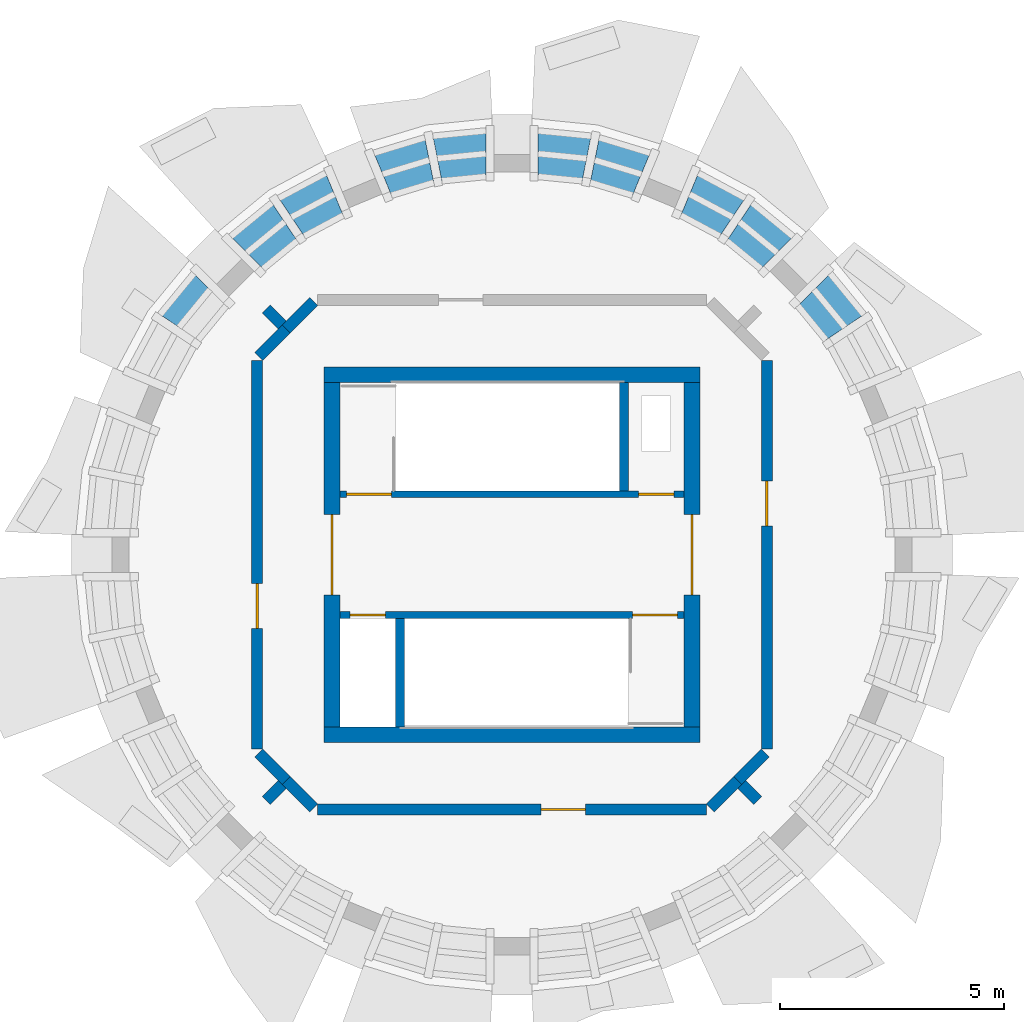
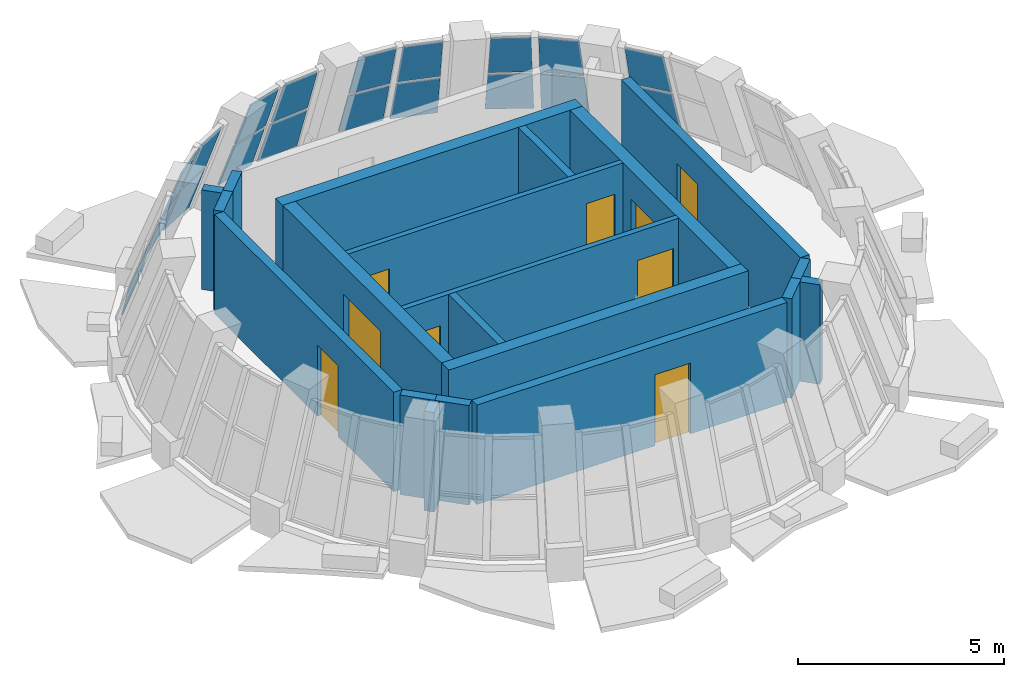
# One storey, part 5 of 8: 20 walls, 19 plates, 9 doors, 9 openings, 6 elements without a shape of their own.
"""IFC4 building model written with IfcOpenShell, lengths in metres."""

import ifcopenshell
import ifcopenshell.guid

model = None  # the IFC model being written
_history = None  # IfcOwnerHistory: only IFC2X3 demands one
_inside = {}  # id of a spatial element -> (the spatial element, [elements in it])
_under = {}  # id of a project, library or spatial element -> (it, [spatial elements below it])
_declared = {}  # id of a project -> (the project, [libraries it declares])
_typed = {}  # id of a type object -> (the type object, [elements of that type])
_made_of = {}  # id of a material, layer set ... -> (it, [elements and type objects made of it])


def new_model(schema):
    """Start an empty IFC model of exactly this schema.

    Asked for "IFC4X3", IfcOpenShell would pick the latest addendum, in which some entities
    have other attributes; the version numbers below select the first issue.
    IFC2X3 requires an IfcOwnerHistory on every rooted entity: one is made here for all.
    """
    global model, _history
    if schema == "IFC4X3":
        model = ifcopenshell.file(schema_version=(4, 3, 0, 0))
    else:
        model = ifcopenshell.file(schema=schema)
    _inside.clear()
    _under.clear()
    _declared.clear()
    _typed.clear()
    _made_of.clear()
    _history = None
    if model.schema == "IFC2X3":
        org = make("IfcOrganization", Name="unknown")
        user = make(
            "IfcPersonAndOrganization",
            ThePerson=make("IfcPerson", FamilyName="unknown"),
            TheOrganization=org,
        )
        app = make(
            "IfcApplication",
            ApplicationDeveloper=org,
            Version="unknown",
            ApplicationFullName="unknown",
            ApplicationIdentifier="unknown",
        )
        _history = make(
            "IfcOwnerHistory",
            OwningUser=user,
            OwningApplication=app,
            ChangeAction="ADDED",
            CreationDate=0,
        )
    return model


def make(cls, **values):
    """One entity of the class cls with the attributes given. An attribute that is None is left unset."""
    return model.create_entity(
        cls, **{name: value for name, value in values.items() if value is not None}
    )


def rooted(cls, **values):
    """An entity with a GlobalId (a new one), such as an element, a storey or a relation."""
    return make(cls, GlobalId=ifcopenshell.guid.new(), OwnerHistory=_history, **values)


def si_unit(unit_type, name, prefix=None):
    """IfcSIUnit, for example si_unit("LENGTHUNIT", "METRE", prefix="MILLI")."""
    return make("IfcSIUnit", UnitType=unit_type, Prefix=prefix, Name=name)


def assignment(units):
    """IfcUnitAssignment: the units of a project."""
    return None if units is None else make("IfcUnitAssignment", Units=units)


def point(xyz):
    """IfcCartesianPoint."""
    return None if xyz is None else make("IfcCartesianPoint", Coordinates=xyz)


def direction(xyz):
    """IfcDirection."""
    return None if xyz is None else make("IfcDirection", DirectionRatios=xyz)


def frame(location, z_axis=None, x_axis=None):
    """IfcAxis2Placement3D, a coordinate frame: its origin and axes. An axis left out is left unset."""
    return make(
        "IfcAxis2Placement3D",
        Location=point(location),
        Axis=direction(z_axis),
        RefDirection=direction(x_axis),
    )


def frame_2d(location, x_axis=None):
    """IfcAxis2Placement2D, a coordinate frame in the plane: its origin and x axis."""
    return make(
        "IfcAxis2Placement2D", Location=point(location), RefDirection=direction(x_axis)
    )


def origin():
    """The frame at (0, 0, 0) with its axes left unset."""
    return frame((0.0, 0.0, 0.0))


def place(relative_to, where):
    """IfcLocalPlacement: puts the frame where relative to a parent placement (None: the world)."""
    return make(
        "IfcLocalPlacement", PlacementRelTo=relative_to, RelativePlacement=where
    )


def context(
    kind, dimensions, precision=None, world=None, true_north=None, identifier=None
):
    """IfcGeometricRepresentationContext, for example the 3D "Model" context."""
    return make(
        "IfcGeometricRepresentationContext",
        ContextIdentifier=identifier,
        ContextType=kind,
        CoordinateSpaceDimension=dimensions,
        Precision=precision,
        WorldCoordinateSystem=world,
        TrueNorth=true_north,
    )


def subcontext(parent, identifier, kind, view, scale=None):
    """IfcGeometricRepresentationSubContext, for example "Body" below "Model"."""
    return make(
        "IfcGeometricRepresentationSubContext",
        ContextIdentifier=identifier,
        ContextType=kind,
        ParentContext=parent,
        TargetScale=scale,
        TargetView=view,
    )


def project(units=None, contexts=None):
    """IfcProject with its units and contexts."""
    return rooted(
        "IfcProject",
        Name="project",
        RepresentationContexts=contexts,
        UnitsInContext=assignment(units),
    )


def spatial(cls, under=None, at=None, **own):
    """A site, building, storey or space (cls), placed at a placement, below another one or the project."""
    s = rooted(cls, ObjectPlacement=at, **own)
    if under is not None:
        _under.setdefault(under.id(), (under, []))[1].append(s)
    return s


def polyline(points):
    """IfcPolyline through the points."""
    return make("IfcPolyline", Points=[point(p) for p in points])


def profile(cls, at=None, kind="AREA", **sizes):
    """A parametric profile (cls). Its sizes go by their IFC names, for example OverallWidth=200.0."""
    return make(cls, ProfileType=kind, Position=at, **sizes)


def rectangle(**sizes):
    """IfcRectangleProfileDef."""
    return profile("IfcRectangleProfileDef", **sizes)


def outline(outer, holes=None, kind="AREA"):
    """IfcArbitraryClosedProfileDef: a profile drawn as a closed curve; with holes, ...WithVoids."""
    if holes is None:
        return make("IfcArbitraryClosedProfileDef", ProfileType=kind, OuterCurve=outer)
    return make(
        "IfcArbitraryProfileDefWithVoids",
        ProfileType=kind,
        OuterCurve=outer,
        InnerCurves=holes,
    )


def extrude(swept, where, along, depth):
    """IfcExtrudedAreaSolid: the profile swept, set in the frame where, extruded along a direction by depth."""
    return make(
        "IfcExtrudedAreaSolid",
        SweptArea=swept,
        Position=where,
        ExtrudedDirection=direction(along),
        Depth=depth,
    )


def shape(context_of_items, identifier, shape_type, items):
    """IfcShapeRepresentation: the items that make up one representation, for example the "Body"."""
    return make(
        "IfcShapeRepresentation",
        ContextOfItems=context_of_items,
        RepresentationIdentifier=identifier,
        RepresentationType=shape_type,
        Items=items,
    )


def material(Name=None, Category=None):
    """IfcMaterial."""
    return make("IfcMaterial", Name=Name, Category=Category)


def layer(
    of_material, thickness, ventilated=None, Name=None, Category=None, Priority=None
):
    """IfcMaterialLayer: one layer of a wall or slab, of a material (None: an air gap)."""
    return make(
        "IfcMaterialLayer",
        Material=of_material,
        LayerThickness=thickness,
        IsVentilated=ventilated,
        Name=Name,
        Category=Category,
        Priority=Priority,
    )


def layer_set(layers, Name=None):
    """IfcMaterialLayerSet."""
    return make("IfcMaterialLayerSet", MaterialLayers=layers, LayerSetName=Name)


def made_of(thing, what):
    """Note that an element or type object is made of a material, layer set ...; save() writes the relation."""
    if what is not None:
        _made_of.setdefault(what.id(), (what, []))[1].append(thing)
    return thing


def type_object(cls, material=None, **own):
    """A type object (cls), such as IfcWallType, which elements share."""
    return made_of(rooted(cls, **own), material)


def element(
    cls,
    number,
    at=None,
    inside=None,
    cuts=None,
    type_object=None,
    material=None,
    context=None,
    identifier="Body",
    shape_type=None,
    held_by="IfcProductDefinitionShape",
    body=None,
    shapes=None,
    **own,
):
    """One element of the class cls, such as IfcWall. Its Tag is "e" and its number.

    at: its placement. inside: the storey or other place that contains it. cuts: it is an
    opening in that element (IfcRelVoidsElement). A single representation is given by context,
    identifier, shape_type and body (its items); several are given by shapes. held_by: the class
    of the entity that holds the representations. save() writes the other relations.
    """
    e = rooted(cls, Tag="e%d" % number, ObjectPlacement=at, **own)
    if body is not None:
        shapes = [shape(context, identifier, shape_type, body)]
    if shapes is not None:
        e.Representation = make(held_by, Representations=shapes)
    if inside is not None:
        _inside.setdefault(inside.id(), (inside, []))[1].append(e)
    if cuts is not None:
        rooted(
            "IfcRelVoidsElement", RelatingBuildingElement=cuts, RelatedOpeningElement=e
        )
    if type_object is not None:
        _typed.setdefault(type_object.id(), (type_object, []))[1].append(e)
    return made_of(e, material)


def fill(opening, filler):
    """IfcRelFillsElement: the door or window that sits in an opening."""
    return rooted(
        "IfcRelFillsElement",
        RelatingOpeningElement=opening,
        RelatedBuildingElement=filler,
    )


def aggregate(whole, parts):
    """IfcRelAggregates: a whole, such as a stair, and the parts it consists of."""
    return rooted("IfcRelAggregates", RelatingObject=whole, RelatedObjects=parts)


def save(model, path):
    """Write the relations noted so far, then the file.

    IfcRelAggregates (storeys below a building ...), IfcRelContainedInSpatialStructure (elements
    in a storey), IfcRelDefinesByType, IfcRelAssociatesMaterial and IfcRelDeclares: one each for
    every whole, place, type object, material and project.
    """
    for whole, parts in _under.values():
        aggregate(whole, parts)
    for where, things in _inside.values():
        rooted(
            "IfcRelContainedInSpatialStructure",
            RelatedElements=things,
            RelatingStructure=where,
        )
    for kind, things in _typed.values():
        rooted("IfcRelDefinesByType", RelatedObjects=things, RelatingType=kind)
    for what, things in _made_of.values():
        rooted("IfcRelAssociatesMaterial", RelatedObjects=things, RelatingMaterial=what)
    for by, libraries in _declared.values():
        rooted("IfcRelDeclares", RelatingContext=by, RelatedDefinitions=libraries)
    model.write(path)


model = new_model("IFC4")

# Units and contexts
model_context = context("Model", 3, precision=1e-05, world=origin(), true_north=direction((0.0, 1.0)))
body_context = subcontext(model_context, "Body", "Model", "MODEL_VIEW")
ifc_project = project(units=[si_unit("LENGTHUNIT", "METRE"), si_unit("AREAUNIT", "SQUARE_METRE"), si_unit("VOLUMEUNIT", "CUBIC_METRE"), si_unit("PLANEANGLEUNIT", "RADIAN"), si_unit("MASSUNIT", "GRAM", prefix="KILO")], contexts=[model_context])

# Site, building, storey
site_placement = place(None, origin())
site = spatial("IfcSite", under=ifc_project, at=site_placement, CompositionType="ELEMENT")
building_placement = place(site_placement, origin())
building = spatial("IfcBuilding", under=site, at=building_placement, Name="Polderwave Tower", CompositionType="ELEMENT")
storey_placement = place(building_placement, frame((0.0, 0.0, 244.39990234375)))
storey = spatial("IfcBuildingStorey", under=building, at=storey_placement, Name="L66", CompositionType="ELEMENT", Elevation=244.39990234375)

# Curtain wall, plates
ifc_material_1 = material(Name="Aluminium 6063-T6 and glass", Category="aluminium")
curtain_wall_type = type_object("IfcCurtainWallType", Name="Crown facet glazing wall", PredefinedType="NOTDEFINED", material=ifc_material_1)
curtain_wall_1_placement = place(storey_placement, origin())
curtain_wall_1 = element("IfcCurtainWall", 1, at=curtain_wall_1_placement, inside=storey, type_object=curtain_wall_type, Name="CROWN CW6 L66 01", PredefinedType="NOTDEFINED")
ifc_material_2 = material(Name="Glass, low-e laminated double glazing", Category="glass")
ifc_layer_1 = layer(ifc_material_2, 0.0400390625)
ifc_layer_set_1 = layer_set([ifc_layer_1], Name="Crown facet glazing glass panel 40 mm")
plate_type = type_object("IfcPlateType", Name="Crown facet glazing glass panel 40 mm", PredefinedType="CURTAIN_PANEL", material=ifc_layer_set_1)
plate_1_placement = place(storey_placement, frame((7.859619140625, 5.362548828125, 0.080078125), z_axis=(0.728514558881, 0.59778140071, 0.334550346678), x_axis=(-0.634331884059, 0.773060839035, -4.120436e-06)))
plate_1 = element("IfcPlate", 2, at=plate_1_placement, type_object=plate_type, Name="CROWN CW6 panel 3", PredefinedType="CURTAIN_PANEL", context=body_context, shape_type="SweptSolid", body=[
    extrude(outline(polyline([(0.0, 0.0), (1.1877514672402194, 2.7755575615628914e-17), (1.1403287608472565, 1.4378363484478571), (0.04729504145590254, 1.4378263759843046), (0.0, 0.0)])), origin(), (0.0, 0.0, -1.0), 0.0400390625),
])
plate_2_placement = place(storey_placement, frame((7.43408203125, 5.078125, 1.51513671875), z_axis=(0.728552410514, 0.597616458169, 0.334762533836), x_axis=(-0.634208069606, 0.773162417893, -2.29384e-06)))
plate_2 = element("IfcPlate", 3, at=plate_2_placement, type_object=plate_type, Name="CROWN CW6 panel 4", PredefinedType="CURTAIN_PANEL", context=body_context, shape_type="SweptSolid", body=[
    extrude(outline(polyline([(0.0, 0.0), (1.0875022372701915, 2.7755575615628914e-17), (1.0399710427489806, 1.4379488756299341), (0.04718655706346319, 1.4379438116045562), (0.0, 0.0)])), origin(), (0.0, 0.0, -1.0), 0.0400390625),
])
aggregate(curtain_wall_1, [plate_1, plate_2])

curtain_wall_2_placement = place(storey_placement, origin())
curtain_wall_2 = element("IfcCurtainWall", 4, at=curtain_wall_2_placement, inside=storey, type_object=curtain_wall_type, Name="CROWN CW6 L66 02", PredefinedType="NOTDEFINED")
plate_3_placement = place(storey_placement, frame((6.28076171875, 7.106201171875, 0.080078125), z_axis=(0.597776406997, 0.728552904485, 0.334475757873), x_axis=(-0.773077686851, 0.634311351045, -5.30734e-06)))
plate_3 = element("IfcPlate", 5, at=plate_3_placement, type_object=plate_type, Name="CROWN CW6 panel 1", PredefinedType="CURTAIN_PANEL", context=body_context, shape_type="SweptSolid", body=[
    extrude(outline(polyline([(0.0, 0.0), (1.1877514671807785, 2.7755575615628914e-17), (1.1404564258413907, 1.4380564517805376), (0.04723396892255981, 1.4377845445814874), (0.0, 0.0)])), origin(), (0.0, 0.0, -1.0), 0.0400390625),
])
plate_4_placement = place(storey_placement, frame((5.9189453125, 6.744384765625, 1.51513671875), z_axis=(0.597664250951, 0.728610674549, 0.334550337122), x_axis=(-0.773162417238, 0.634208070404, 2.292569e-06)))
plate_4 = element("IfcPlate", 6, at=plate_4_placement, type_object=plate_type, Name="CROWN CW6 panel 2", PredefinedType="CURTAIN_PANEL", context=body_context, shape_type="SweptSolid", body=[
    extrude(outline(polyline([(0.0, 0.0), (1.0875022372701872, 2.7755575615628914e-17), (1.0402817535867661, 1.437828826565124), (0.04749726790123691, 1.4378338873805563), (0.0, 0.0)])), origin(), (0.0, 0.0, -1.0), 0.0400390625),
])
plate_5_placement = place(storey_placement, frame((5.209716796875, 7.9619140625, 0.080078125), z_axis=(0.444543790311, 0.830897524586, 0.334649252401), x_axis=(-0.881733645577, 0.471747578756, -1.3980513e-05)))
plate_5 = element("IfcPlate", 7, at=plate_5_placement, type_object=plate_type, Name="CROWN CW6 panel 3", PredefinedType="CURTAIN_PANEL", context=body_context, shape_type="SweptSolid", body=[
    extrude(outline(polyline([(0.0, 0.0), (1.188147342283793, -2.7755575615628914e-17), (1.14053465731741, 1.437901866773072), (0.04741568293498262, 1.4378680221103832), (0.0, 0.0)])), origin(), (0.0, 0.0, -1.0), 0.0400390625),
])
plate_6_placement = place(storey_placement, frame((4.925048828125, 7.536376953125, 1.51513671875), z_axis=(0.444580065193, 0.830878116864, 0.334649250037), x_axis=(-0.881712933773, 0.471786288697, -1.4670693e-05)))
plate_6 = element("IfcPlate", 8, at=plate_6_placement, type_object=plate_type, Name="CROWN CW6 panel 4", PredefinedType="CURTAIN_PANEL", context=body_context, shape_type="SweptSolid", body=[
    extrude(outline(polyline([(0.0, 0.0), (1.0876619098390503, 5.551115123125783e-17), (1.0400271620707178, 1.4379011361127982), (0.04739362464483311, 1.437868749409721), (0.0, 0.0)])), origin(), (0.0, 0.0, -1.0), 0.0400390625),
])
aggregate(curtain_wall_2, [plate_3, plate_4, plate_5, plate_6])

curtain_wall_3_placement = place(storey_placement, origin())
curtain_wall_3 = element("IfcCurtainWall", 9, at=curtain_wall_3_placement, inside=storey, type_object=curtain_wall_type, Name="CROWN CW6 L66 03", PredefinedType="NOTDEFINED")
plate_7_placement = place(storey_placement, frame((3.0830078125, 8.969482421875, 0.080078125), z_axis=(0.273579472294, 0.90177283822, 0.334604274611), x_axis=(-0.956929190974, 0.290321413128, -2.3256199e-05)))
plate_7 = element("IfcPlate", 10, at=plate_7_placement, type_object=plate_type, Name="CROWN CW6 panel 1", PredefinedType="CURTAIN_PANEL", context=body_context, shape_type="SweptSolid", body=[
    extrude(outline(polyline([(0.0, 0.0), (1.1871399806981504, -1.3877787807814457e-17), (1.1401075758876562, 1.4378887126497282), (0.04741830816409392, 1.437832449401057), (0.0, 0.0)])), origin(), (0.0, 0.0, -1.0), 0.0400390625),
])
plate_8_placement = place(storey_placement, frame((2.886962890625, 8.49658203125, 1.51513671875), z_axis=(0.273503347507, 0.901830819388, 0.334510227206), x_axis=(-0.956961008783, 0.290216518075, 1.7455491e-05)))
plate_8 = element("IfcPlate", 11, at=plate_8_placement, type_object=plate_type, Name="CROWN CW6 panel 2", PredefinedType="CURTAIN_PANEL", context=body_context, shape_type="SweptSolid", body=[
    extrude(outline(polyline([(0.0, 0.0), (1.0870533690866546, 0.0), (1.0399660953534118, 1.4377903709772952), (0.04752619899210841, 1.4378288884632346), (0.0, 0.0)])), origin(), (0.0, 0.0, -1.0), 0.0400390625),
])
plate_9_placement = place(storey_placement, frame((1.766357421875, 9.35009765625, 0.080078125), z_axis=(0.092190560793, 0.937842269422, 0.334593452096), x_axis=(-0.99520337846, 0.09782758037, 4.535586e-06)))
plate_9 = element("IfcPlate", 12, at=plate_9_placement, type_object=plate_type, Name="CROWN CW6 panel 3", PredefinedType="CURTAIN_PANEL", context=body_context, shape_type="SweptSolid", body=[
    extrude(outline(polyline([(0.0, 0.0), (1.1880702856783063, -6.938893903907228e-18), (1.1407867318130822, 1.4378492220486534), (0.047896221256010195, 1.4378602002996534), (0.0, 0.0)])), origin(), (0.0, 0.0, -1.0), 0.0400390625),
])
plate_10_placement = place(storey_placement, frame((1.666259765625, 8.84814453125, 1.51513671875), z_axis=(0.09225701801, 0.937835729844, 0.334593464454), x_axis=(-0.995196492211, 0.09789760904, 5.932816e-06)))
plate_10 = element("IfcPlate", 13, at=plate_10_placement, type_object=plate_type, Name="CROWN CW6 panel 4", PredefinedType="CURTAIN_PANEL", context=body_context, shape_type="SweptSolid", body=[
    extrude(outline(polyline([(0.0, 0.0), (1.0874974139435412, 6.938893903907228e-18), (1.0401819015477192, 1.437848170700336), (0.04786426009474979, 1.4378612645556195), (0.0, 0.0)])), origin(), (0.0, 0.0, -1.0), 0.0400390625),
])
aggregate(curtain_wall_3, [plate_7, plate_8, plate_9, plate_10])

curtain_wall_4_placement = place(storey_placement, origin())
curtain_wall_4 = element("IfcCurtainWall", 14, at=curtain_wall_4_placement, inside=storey, type_object=curtain_wall_type, Name="CROWN CW6 L66 04", PredefinedType="NOTDEFINED")
plate_11_placement = place(storey_placement, frame((-0.583984375, 9.46630859375, 0.080078125), z_axis=(-0.092195772354, 0.937895285941, 0.334443376627), x_axis=(-0.995203378319, -0.097827581807, -4.533808e-06)))
plate_11 = element("IfcPlate", 15, at=plate_11_placement, type_object=plate_type, Name="CROWN CW6 panel 1", PredefinedType="CURTAIN_PANEL", context=body_context, shape_type="SweptSolid", body=[
    extrude(outline(polyline([(0.0, 0.0), (1.1880702856782939, 0.0), (1.1401501838394374, 1.4377789199388151), (0.047259673282329384, 1.4377679466118984), (0.0, 0.0)])), origin(), (0.0, 0.0, -1.0), 0.0400390625),
])
plate_12_placement = place(storey_placement, frame((-0.583984375, 8.95458984375, 1.51513671875), z_axis=(-0.092369186157, 0.937851449391, 0.334518448405), x_axis=(-0.99518632919, -0.098000859001, -4.2758918e-05)))
plate_12 = element("IfcPlate", 16, at=plate_12_placement, type_object=plate_type, Name="CROWN CW6 panel 2", PredefinedType="CURTAIN_PANEL", context=body_context, shape_type="SweptSolid", body=[
    extrude(outline(polyline([(0.0, 0.0), (1.0874974052304374, -6.938893903907228e-18), (1.0396331621784038, 1.4378612585329653), (0.047291598624912855, 1.4377668902361955), (0.0, 0.0)])), origin(), (0.0, 0.0, -1.0), 0.0400390625),
])
plate_13_placement = place(storey_placement, frame((-1.947021484375, 9.314208984375, 0.080078125), z_axis=(-0.273664436241, 0.901720281064, 0.334676427397), x_axis=(-0.956902768614, -0.290408490469, -9.05669e-06)))
plate_13 = element("IfcPlate", 17, at=plate_13_placement, type_object=plate_type, Name="CROWN CW6 panel 3", PredefinedType="CURTAIN_PANEL", context=body_context, shape_type="SweptSolid", body=[
    extrude(outline(polyline([(0.0, 0.0), (1.1871399831308675, 1.3877787807814457e-17), (1.1397925647514855, 1.437910626445114), (0.04703240957954799, 1.4378887145022188), (0.0, 0.0)])), origin(), (0.0, 0.0, -1.0), 0.0400390625),
])
plate_14_placement = place(storey_placement, frame((-1.8466796875, 8.81201171875, 1.51513671875), z_axis=(-0.273503347507, 0.901830819388, 0.334510227206), x_axis=(-0.956961008783, -0.290216518075, -1.7455491e-05)))
plate_14 = element("IfcPlate", 18, at=plate_14_placement, type_object=plate_type, Name="CROWN CW6 panel 4", PredefinedType="CURTAIN_PANEL", context=body_context, shape_type="SweptSolid", body=[
    extrude(outline(polyline([(0.0, 0.0), (1.0870533690866546, 0.0), (1.0395271700945463, 1.4378288884632346), (0.04708727373324286, 1.4377903709772952), (0.0, 0.0)])), origin(), (0.0, 0.0, -1.0), 0.0400390625),
])
aggregate(curtain_wall_4, [plate_11, plate_12, plate_13, plate_14])

curtain_wall_5_placement = place(storey_placement, origin())
curtain_wall_5 = element("IfcCurtainWall", 19, at=curtain_wall_5_placement, inside=storey, type_object=curtain_wall_type, Name="CROWN CW6 L66 05", PredefinedType="NOTDEFINED")
plate_15_placement = place(storey_placement, frame((-4.162109375, 8.5224609375, 0.080078125), z_axis=(-0.444633328059, 0.830876386908, 0.334582774898), x_axis=(-0.881694113104, -0.471821460585, -1.5773085e-05)))
plate_15 = element("IfcPlate", 20, at=plate_15_placement, type_object=plate_type, Name="CROWN CW6 panel 1", PredefinedType="CURTAIN_PANEL", context=body_context, shape_type="SweptSolid", body=[
    extrude(outline(polyline([(0.0, 0.0), (1.18814734200034, 2.7755575615628914e-17), (1.1407316596209516, 1.4378680218944804), (0.04749750318745835, 1.4378298367196831), (0.0, 0.0)])), origin(), (0.0, 0.0, -1.0), 0.0400390625),
])
plate_16_placement = place(storey_placement, frame((-3.966064453125, 8.049560546875, 1.51513671875), z_axis=(-0.444637127192, 0.830888677871, 0.334547201615), x_axis=(-0.881692780798, -0.471823950525, -4.98226e-07)))
plate_16 = element("IfcPlate", 21, at=plate_16_placement, type_object=plate_type, Name="CROWN CW6 panel 2", PredefinedType="CURTAIN_PANEL", context=body_context, shape_type="SweptSolid", body=[
    extrude(outline(polyline([(0.0, 0.0), (1.0876619108830106, 2.7755575615628914e-17), (1.0404835413839726, 1.4378302090599095), (0.04751955871846202, 1.4378291090544624), (0.0, 0.0)])), origin(), (0.0, 0.0, -1.0), 0.0400390625),
])
plate_17_placement = place(storey_placement, frame((-5.362548828125, 7.859619140625, 0.080078125), z_axis=(-0.59778140071, 0.728514558881, 0.334550346678), x_axis=(-0.773060839035, -0.634331884059, -4.120436e-06)))
plate_17 = element("IfcPlate", 22, at=plate_17_placement, type_object=plate_type, Name="CROWN CW6 panel 3", PredefinedType="CURTAIN_PANEL", context=body_context, shape_type="SweptSolid", body=[
    extrude(outline(polyline([(0.0, 0.0), (1.1877514672402194, 2.7755575615628914e-17), (1.1403287608472565, 1.4378363484478571), (0.04729504145590254, 1.4378263759843046), (0.0, 0.0)])), origin(), (0.0, 0.0, -1.0), 0.0400390625),
])
plate_18_placement = place(storey_placement, frame((-5.078125, 7.43408203125, 1.51513671875), z_axis=(-0.597616458169, 0.728552410514, 0.334762533836), x_axis=(-0.773162417893, -0.634208069606, -2.29384e-06)))
plate_18 = element("IfcPlate", 23, at=plate_18_placement, type_object=plate_type, Name="CROWN CW6 panel 4", PredefinedType="CURTAIN_PANEL", context=body_context, shape_type="SweptSolid", body=[
    extrude(outline(polyline([(0.0, 0.0), (1.0875022372701915, 2.7755575615628914e-17), (1.0399710427489806, 1.4379488756299341), (0.04718655706346319, 1.4379438116045562), (0.0, 0.0)])), origin(), (0.0, 0.0, -1.0), 0.0400390625),
])
aggregate(curtain_wall_5, [plate_15, plate_16, plate_17, plate_18])

# Curtain wall, plate
curtain_wall_6_placement = place(storey_placement, origin())
curtain_wall_6 = element("IfcCurtainWall", 24, at=curtain_wall_6_placement, inside=storey, type_object=curtain_wall_type, Name="CROWN CW6 L66 06", PredefinedType="NOTDEFINED")
plate_19_placement = place(storey_placement, frame((-7.106201171875, 6.28076171875, 0.080078125), z_axis=(-0.728552904485, 0.597776406997, 0.334475757873), x_axis=(-0.634311351045, -0.773077686851, -5.30734e-06)))
plate_19 = element("IfcPlate", 25, at=plate_19_placement, type_object=plate_type, Name="CROWN CW6 panel 1", PredefinedType="CURTAIN_PANEL", context=body_context, shape_type="SweptSolid", body=[
    extrude(outline(polyline([(0.0, 0.0), (1.1877514671807785, 2.7755575615628914e-17), (1.1404564258413907, 1.4380564517805376), (0.04723396892255981, 1.4377845445814874), (0.0, 0.0)])), origin(), (0.0, 0.0, -1.0), 0.0400390625),
])
aggregate(curtain_wall_6, [plate_19])

# Walls
ifc_material_3 = material(Name="Concrete C60/75", Category="concrete")
ifc_layer_2 = layer(ifc_material_3, 0.35009765625)
ifc_layer_set_2 = layer_set([ifc_layer_2], Name="CORE WALL 350 C60/75")
wall_type_1 = type_object("IfcWallType", Name="CORE WALL 350 C60/75", PredefinedType="SHEAR", material=ifc_layer_set_2)
for number, where, z_axis, x_axis, name in (
    (26, (-4.199951171875, -4.02490234375, 0.0), (0.0, 0.0, 1.0), (1.0, 0.0, 0.0), "ST-CORE-L66-S"),
    (27, (-4.199951171875, 4.02490234375, 0.0), (0.0, 0.0, 1.0), (1.0, 0.0, 0.0), "ST-CORE-L66-N"),
):
    element("IfcWall", number, at=place(storey_placement, frame(where, z_axis=z_axis, x_axis=x_axis)), inside=storey, type_object=wall_type_1, Name=name, PredefinedType="SHEAR", context=body_context, shape_type="SweptSolid", body=[
        extrude(rectangle(XDim=8.39990234375, YDim=0.35009765625, at=frame_2d((4.199951171875, 0.0))), origin(), (0.0, 0.0, 1.0), 2.9501953125),
    ])

# Wall, opening, door
wall_1_placement = place(storey_placement, frame((-4.02490234375, -3.85009765625, 0.0), z_axis=(0.0, 0.0, 1.0), x_axis=(0.0, 1.0, 0.0)))
wall_1 = element("IfcWall", 28, at=wall_1_placement, inside=storey, type_object=wall_type_1, Name="ST-CORE-L66-W", PredefinedType="SHEAR", context=body_context, shape_type="SweptSolid", body=[
    extrude(rectangle(XDim=7.7001953125, YDim=0.35009765625, at=frame_2d((3.85009765625, 0.0))), origin(), (0.0, 0.0, 1.0), 2.9501953125),
])
opening_1_placement = place(wall_1_placement, frame((2.949951171875, 0.0, 0.0)))
opening_1 = element("IfcOpeningElement", 29, at=opening_1_placement, cuts=wall_1, Name="Opening L66-D05", PredefinedType="OPENING", context=body_context, shape_type="SweptSolid", body=[
    extrude(rectangle(XDim=1.800048828125, YDim=2.10009765625, at=frame_2d((0.89990234375, 1.050048828125))), frame((0.0, 0.18505859375, 0.0), z_axis=(0.0, -1.0, 0.0), x_axis=(1.0, 0.0, 0.0)), (0.0, 0.0, 1.0), 0.3701171875),
])
ifc_material_4 = material(Name="Steel fire door", Category="steel")
door_type_1 = type_object("IfcDoorType", Name="Lobby entry door pair 1800", OperationType="DOUBLE_DOOR_SINGLE_SWING", PredefinedType="DOOR", material=ifc_material_4)
door_1_placement = place(opening_1_placement, origin())
door_1 = element("IfcDoor", 30, at=door_1_placement, inside=storey, type_object=door_type_1, Name="Crown stair lobby entry door", OperationType="DOUBLE_DOOR_SINGLE_SWING", OverallHeight=2.10009765625, OverallWidth=1.800048828125, PredefinedType="DOOR", context=body_context, shape_type="SweptSolid", body=[
    extrude(rectangle(XDim=1.800048828125, YDim=2.10009765625, at=frame_2d((0.89990234375, 1.050048828125))), frame((0.0, 0.02490234375, 0.0), z_axis=(0.0, -1.0, 0.0), x_axis=(1.0, 0.0, 0.0)), (0.0, 0.0, 1.0), 0.050048828125),
])
fill(opening_1, door_1)

wall_2_placement = place(storey_placement, frame((4.02490234375, -3.85009765625, 0.0), z_axis=(0.0, 0.0, 1.0), x_axis=(0.0, 1.0, 0.0)))
wall_2 = element("IfcWall", 31, at=wall_2_placement, inside=storey, type_object=wall_type_1, Name="ST-CORE-L66-E", PredefinedType="SHEAR", context=body_context, shape_type="SweptSolid", body=[
    extrude(rectangle(XDim=7.7001953125, YDim=0.35009765625, at=frame_2d((3.85009765625, 0.0))), origin(), (0.0, 0.0, 1.0), 2.9501953125),
])
opening_2_placement = place(wall_2_placement, frame((2.949951171875, 0.0, 0.0)))
opening_2 = element("IfcOpeningElement", 32, at=opening_2_placement, cuts=wall_2, Name="Opening L66-D06", PredefinedType="OPENING", context=body_context, shape_type="SweptSolid", body=[
    extrude(rectangle(XDim=1.800048828125, YDim=2.10009765625, at=frame_2d((0.89990234375, 1.050048828125))), frame((0.0, 0.18505859375, 0.0), z_axis=(0.0, -1.0, 0.0), x_axis=(1.0, 0.0, 0.0)), (0.0, 0.0, 1.0), 0.3701171875),
])
door_2_placement = place(opening_2_placement, frame((1.800048828125, 0.0, 0.0), z_axis=(0.0, 0.0, 1.0), x_axis=(-1.0, 0.0, 0.0)))
door_2 = element("IfcDoor", 33, at=door_2_placement, inside=storey, type_object=door_type_1, Name="Crown stair lobby entry door", OperationType="DOUBLE_DOOR_SINGLE_SWING", OverallHeight=2.10009765625, OverallWidth=1.800048828125, PredefinedType="DOOR", context=body_context, shape_type="SweptSolid", body=[
    extrude(rectangle(XDim=1.800048828125, YDim=2.10009765625, at=frame_2d((0.89990234375, 1.050048828125))), frame((0.0, 0.02490234375, 0.0), z_axis=(0.0, -1.0, 0.0), x_axis=(1.0, 0.0, 0.0)), (0.0, 0.0, 1.0), 0.050048828125),
])
fill(opening_2, door_2)

# Wall, openings, doors
ifc_material_5 = material(Name="Concrete C50/60", Category="concrete")
ifc_layer_3 = layer(ifc_material_5, 0.14990234375)
ifc_layer_set_3 = layer_set([ifc_layer_3], Name="Core web wall 150")
wall_type_2 = type_object("IfcWallType", Name="Core web wall 150", PredefinedType="SHEAR", material=ifc_layer_set_3)
wall_3_placement = place(storey_placement, frame((-3.85009765625, 1.35009765625, 0.0), z_axis=(0.0, 0.0, 1.0), x_axis=(1.0, 0.0, 0.0)))
wall_3 = element("IfcWall", 34, at=wall_3_placement, inside=storey, type_object=wall_type_2, Name="L66 north lobby wall", PredefinedType="SHEAR", context=body_context, shape_type="SweptSolid", body=[
    extrude(rectangle(XDim=7.7001953125, YDim=0.14990234375, at=frame_2d((3.85009765625, 0.0))), origin(), (0.0, 0.0, 1.0), 2.9501953125),
])
opening_3_placement = place(wall_3_placement, frame((0.14990234375, 0.0, 0.0)))
opening_3 = element("IfcOpeningElement", 35, at=opening_3_placement, cuts=wall_3, Name="Opening L66-D02", PredefinedType="OPENING", context=body_context, shape_type="SweptSolid", body=[
    extrude(rectangle(XDim=1.0, YDim=2.10009765625, at=frame_2d((0.5, 1.050048828125))), frame((0.0, 0.0849609375, 0.0), z_axis=(0.0, -1.0, 0.0), x_axis=(1.0, 0.0, 0.0)), (0.0, 0.0, 1.0), 0.169921875),
])
opening_4_placement = place(wall_3_placement, frame((6.675048828125, 0.0, 0.0)))
opening_4 = element("IfcOpeningElement", 36, at=opening_4_placement, cuts=wall_3, Name="Opening L66-D04", PredefinedType="OPENING", context=body_context, shape_type="SweptSolid", body=[
    extrude(rectangle(XDim=0.800048828125, YDim=2.10009765625, at=frame_2d((0.39990234375, 1.050048828125))), frame((0.0, 0.0849609375, 0.0), z_axis=(0.0, -1.0, 0.0), x_axis=(1.0, 0.0, 0.0)), (0.0, 0.0, 1.0), 0.169921875),
])
door_type_2 = type_object("IfcDoorType", Name="Riser door 800", OperationType="NOTDEFINED", PredefinedType="DOOR", material=ifc_material_4)
door_3_placement = place(opening_4_placement, frame((0.800048828125, 0.0, 0.0), z_axis=(0.0, 0.0, 1.0), x_axis=(-1.0, 0.0, 0.0)))
door_3 = element("IfcDoor", 37, at=door_3_placement, inside=storey, type_object=door_type_2, Name="Riser door", OperationType="SINGLE_SWING_LEFT", OverallHeight=2.10009765625, OverallWidth=0.800048828125, PredefinedType="DOOR", context=body_context, shape_type="SweptSolid", body=[
    extrude(rectangle(XDim=0.800048828125, YDim=2.10009765625, at=frame_2d((0.39990234375, 1.050048828125))), frame((0.0, 0.02490234375, 0.0), z_axis=(0.0, -1.0, 0.0), x_axis=(1.0, 0.0, 0.0)), (0.0, 0.0, 1.0), 0.050048828125),
])
fill(opening_4, door_3)
door_type_3 = type_object("IfcDoorType", Name="Stair door 1000", OperationType="NOTDEFINED", PredefinedType="DOOR", material=ifc_material_4)
door_4_placement = place(opening_3_placement, frame((1.0, 0.0, 0.0), z_axis=(0.0, 0.0, 1.0), x_axis=(-1.0, 0.0, 0.0)))
door_4 = element("IfcDoor", 38, at=door_4_placement, inside=storey, type_object=door_type_3, Name="Crown stair S1 door", OperationType="SINGLE_SWING_RIGHT", OverallHeight=2.10009765625, OverallWidth=1.0, PredefinedType="DOOR", context=body_context, shape_type="SweptSolid", body=[
    extrude(rectangle(XDim=1.0, YDim=2.10009765625, at=frame_2d((0.5, 1.050048828125))), frame((0.0, 0.02490234375, 0.0), z_axis=(0.0, -1.0, 0.0), x_axis=(1.0, 0.0, 0.0)), (0.0, 0.0, 1.0), 0.050048828125),
])
fill(opening_3, door_4)

wall_4_placement = place(storey_placement, frame((-3.85009765625, -1.35009765625, 0.0), z_axis=(0.0, 0.0, 1.0), x_axis=(1.0, 0.0, 0.0)))
wall_4 = element("IfcWall", 39, at=wall_4_placement, inside=storey, type_object=wall_type_2, Name="L66 south lobby wall", PredefinedType="SHEAR", context=body_context, shape_type="SweptSolid", body=[
    extrude(rectangle(XDim=7.7001953125, YDim=0.14990234375, at=frame_2d((3.85009765625, 0.0))), origin(), (0.0, 0.0, 1.0), 2.9501953125),
])
opening_5_placement = place(wall_4_placement, frame((0.22509765625, 0.0, 0.0)))
opening_5 = element("IfcOpeningElement", 40, at=opening_5_placement, cuts=wall_4, Name="Opening L66-D01", PredefinedType="OPENING", context=body_context, shape_type="SweptSolid", body=[
    extrude(rectangle(XDim=0.800048828125, YDim=2.10009765625, at=frame_2d((0.39990234375, 1.050048828125))), frame((0.0, 0.0849609375, 0.0), z_axis=(0.0, -1.0, 0.0), x_axis=(1.0, 0.0, 0.0)), (0.0, 0.0, 1.0), 0.169921875),
])
opening_6_placement = place(wall_4_placement, frame((6.550048828125, 0.0, 0.0)))
opening_6 = element("IfcOpeningElement", 41, at=opening_6_placement, cuts=wall_4, Name="Opening L66-D03", PredefinedType="OPENING", context=body_context, shape_type="SweptSolid", body=[
    extrude(rectangle(XDim=1.0, YDim=2.10009765625, at=frame_2d((0.5, 1.050048828125))), frame((0.0, 0.0849609375, 0.0), z_axis=(0.0, -1.0, 0.0), x_axis=(1.0, 0.0, 0.0)), (0.0, 0.0, 1.0), 0.169921875),
])
ifc_material_6 = material(Name="Stainless steel", Category="steel")
door_type_4 = type_object("IfcDoorType", Name="Service lift landing door 800", OperationType="DOUBLE_DOOR_SLIDING", PredefinedType="DOOR", material=ifc_material_6)
door_5_placement = place(opening_5_placement, origin())
door_5 = element("IfcDoor", 42, at=door_5_placement, inside=storey, type_object=door_type_4, Name="Crown service lift CL1 landing door", OperationType="DOUBLE_DOOR_SLIDING", OverallHeight=2.10009765625, OverallWidth=0.800048828125, PredefinedType="DOOR", context=body_context, shape_type="SweptSolid", body=[
    extrude(rectangle(XDim=0.800048828125, YDim=2.10009765625, at=frame_2d((0.39990234375, 1.050048828125))), frame((0.0, 0.02490234375, 0.0), z_axis=(0.0, -1.0, 0.0), x_axis=(1.0, 0.0, 0.0)), (0.0, 0.0, 1.0), 0.050048828125),
])
fill(opening_5, door_5)
door_6_placement = place(opening_6_placement, origin())
door_6 = element("IfcDoor", 43, at=door_6_placement, inside=storey, type_object=door_type_3, Name="Crown stair S2 door", OperationType="SINGLE_SWING_RIGHT", OverallHeight=2.10009765625, OverallWidth=1.0, PredefinedType="DOOR", context=body_context, shape_type="SweptSolid", body=[
    extrude(rectangle(XDim=1.0, YDim=2.10009765625, at=frame_2d((0.5, 1.050048828125))), frame((0.0, 0.02490234375, 0.0), z_axis=(0.0, -1.0, 0.0), x_axis=(1.0, 0.0, 0.0)), (0.0, 0.0, 1.0), 0.050048828125),
])
fill(opening_6, door_6)

# Walls
ifc_layer_4 = layer(ifc_material_5, 0.199951171875)
ifc_layer_set_4 = layer_set([ifc_layer_4], Name="Core web wall 200")
wall_type_3 = type_object("IfcWallType", Name="Core web wall 200", PredefinedType="SHEAR", material=ifc_layer_set_4)
for number, where, z_axis, x_axis, name in (
    (44, (2.5, 1.425048828125, 0.0), (0.0, 0.0, 1.0), (0.0, 1.0, 0.0), "L66 crown stair east wall"),
    (45, (-2.5, -1.425048828125, 0.0), (0.0, 0.0, 1.0), (0.0, -1.0, 0.0), "L66 crown stair west wall"),
):
    element("IfcWall", number, at=place(storey_placement, frame(where, z_axis=z_axis, x_axis=x_axis)), inside=storey, type_object=wall_type_3, Name=name, PredefinedType="SHEAR", context=body_context, shape_type="SweptSolid", body=[
        extrude(rectangle(XDim=2.425048828125, YDim=0.199951171875, at=frame_2d((1.21240234375, 0.0))), origin(), (0.0, 0.0, 1.0), 2.9501953125),
    ])
ifc_material_7 = material(Name="Fire-resisting board on steel studs, mineral wool", Category="steel")
ifc_layer_5 = layer(ifc_material_7, 0.25)
ifc_layer_set_5 = layer_set([ifc_layer_5], Name="Plant room wall 250 mm EI 120")
wall_type_4 = type_object("IfcWallType", Name="Plant room wall 250 mm EI 120", PredefinedType="PARTITIONING", material=ifc_layer_set_5)
wall_5_placement = place(storey_placement, frame((5.663330078125, -4.43359375, 0.0), z_axis=(0.0, 0.0, 1.0), x_axis=(-0.706966384729, -0.707247149774, 0.0)))
element("IfcWall", 46, at=wall_5_placement, inside=storey, type_object=wall_type_4, Name="IN-L66-W002", PredefinedType="PARTITIONING", context=body_context, shape_type="SweptSolid", body=[
    extrude(rectangle(XDim=0.86962890625, YDim=0.25, at=frame_2d((0.434814453125, 0.0))), origin(), (0.0, 0.0, 1.0), 2.9501953125),
])

# Wall, opening, door
wall_6_placement = place(storey_placement, frame((5.699951171875, 4.34521484375, 0.0), z_axis=(0.0, 0.0, 1.0), x_axis=(0.0, -1.0, 0.0)))
wall_6 = element("IfcWall", 47, at=wall_6_placement, inside=storey, type_object=wall_type_4, Name="IN-L66-W003", PredefinedType="PARTITIONING", context=body_context, shape_type="SweptSolid", body=[
    extrude(rectangle(XDim=8.6904296875, YDim=0.25, at=frame_2d((4.34521484375, 0.0))), origin(), (0.0, 0.0, 1.0), 2.9501953125),
])
opening_7_placement = place(wall_6_placement, frame((2.699951171875, 0.0, 0.0)))
opening_7 = element("IfcOpeningElement", 48, at=opening_7_placement, cuts=wall_6, Name="Opening L66-D50", PredefinedType="OPENING", context=body_context, shape_type="SweptSolid", body=[
    extrude(rectangle(XDim=1.0, YDim=2.10009765625, at=frame_2d((0.5, 1.050048828125))), frame((0.0, 0.135009765625, 0.0), z_axis=(0.0, -1.0, 0.0), x_axis=(1.0, 0.0, 0.0)), (0.0, 0.0, 1.0), 0.27001953125),
])
ifc_material_8 = material(Name="Steel plant door leaf", Category="steel")
door_type_5 = type_object("IfcDoorType", Name="Plant door FD60 1000 x 2100 steel", OperationType="NOTDEFINED", PredefinedType="DOOR", material=ifc_material_8)
door_7_placement = place(opening_7_placement, origin())
door_7 = element("IfcDoor", 49, at=door_7_placement, inside=storey, type_object=door_type_5, Name="Door L66-D50", OperationType="SINGLE_SWING_LEFT", OverallHeight=2.10009765625, OverallWidth=1.0, PredefinedType="DOOR", context=body_context, shape_type="SweptSolid", body=[
    extrude(rectangle(XDim=1.0, YDim=2.10009765625, at=frame_2d((0.5, 1.050048828125))), frame((0.0, 0.02490234375, 0.0), z_axis=(0.0, -1.0, 0.0), x_axis=(1.0, 0.0, 0.0)), (0.0, 0.0, 1.0), 0.050048828125),
])
fill(opening_7, door_7)

# Wall
wall_7_placement = place(storey_placement, frame((-5.048583984375, 5.048583984375, 0.0), z_axis=(0.0, 0.0, 1.0), x_axis=(0.707247149774, 0.706966384729, 0.0)))
element("IfcWall", 50, at=wall_7_placement, inside=storey, type_object=wall_type_4, Name="IN-L66-W004", PredefinedType="PARTITIONING", context=body_context, shape_type="SweptSolid", body=[
    extrude(rectangle(XDim=0.86962890625, YDim=0.25, at=frame_2d((0.434814453125, 0.0))), origin(), (0.0, 0.0, 1.0), 2.9501953125),
])

# Wall, opening, door
wall_8_placement = place(storey_placement, frame((-5.699951171875, -4.34521484375, 0.0), z_axis=(0.0, 0.0, 1.0), x_axis=(0.0, 1.0, 0.0)))
wall_8 = element("IfcWall", 51, at=wall_8_placement, inside=storey, type_object=wall_type_4, Name="IN-L66-W007", PredefinedType="PARTITIONING", context=body_context, shape_type="SweptSolid", body=[
    extrude(rectangle(XDim=8.6904296875, YDim=0.25, at=frame_2d((4.34521484375, 0.0))), origin(), (0.0, 0.0, 1.0), 2.9501953125),
])
opening_8_placement = place(wall_8_placement, frame((2.699951171875, 0.0, 0.0)))
opening_8 = element("IfcOpeningElement", 52, at=opening_8_placement, cuts=wall_8, Name="Opening L66-D52", PredefinedType="OPENING", context=body_context, shape_type="SweptSolid", body=[
    extrude(rectangle(XDim=1.0, YDim=2.10009765625, at=frame_2d((0.5, 1.050048828125))), frame((0.0, 0.135009765625, 0.0), z_axis=(0.0, -1.0, 0.0), x_axis=(1.0, 0.0, 0.0)), (0.0, 0.0, 1.0), 0.27001953125),
])
door_8_placement = place(opening_8_placement, origin())
door_8 = element("IfcDoor", 53, at=door_8_placement, inside=storey, type_object=door_type_5, Name="Door L66-D52", OperationType="SINGLE_SWING_LEFT", OverallHeight=2.10009765625, OverallWidth=1.0, PredefinedType="DOOR", context=body_context, shape_type="SweptSolid", body=[
    extrude(rectangle(XDim=1.0, YDim=2.10009765625, at=frame_2d((0.5, 1.050048828125))), frame((0.0, 0.02490234375, 0.0), z_axis=(0.0, -1.0, 0.0), x_axis=(1.0, 0.0, 0.0)), (0.0, 0.0, 1.0), 0.050048828125),
])
fill(opening_8, door_8)

# Walls
for number, where, z_axis, x_axis, name in (
    (54, (-5.663330078125, 4.43359375, 0.0), (0.0, 0.0, 1.0), (0.706966384729, 0.707247149774, 0.0), "IN-L66-W008"),
    (55, (-5.048583984375, -5.048583984375, 0.0), (0.0, 0.0, 1.0), (-0.706966384729, 0.707247149774, 0.0), "IN-L66-W009"),
    (56, (-4.43359375, -5.663330078125, 0.0), (0.0, 0.0, 1.0), (-0.707247149774, 0.706966384729, 0.0), "IN-L66-W010"),
):
    element("IfcWall", number, at=place(storey_placement, frame(where, z_axis=z_axis, x_axis=x_axis)), inside=storey, type_object=wall_type_4, Name=name, PredefinedType="PARTITIONING", context=body_context, shape_type="SweptSolid", body=[
        extrude(rectangle(XDim=0.86962890625, YDim=0.25, at=frame_2d((0.434814453125, 0.0))), origin(), (0.0, 0.0, 1.0), 2.9501953125),
    ])

# Wall, opening, door
wall_9_placement = place(storey_placement, frame((4.34521484375, -5.699951171875, 0.0), z_axis=(0.0, 0.0, 1.0), x_axis=(-1.0, 0.0, 0.0)))
wall_9 = element("IfcWall", 57, at=wall_9_placement, inside=storey, type_object=wall_type_4, Name="IN-L66-W011", PredefinedType="PARTITIONING", context=body_context, shape_type="SweptSolid", body=[
    extrude(rectangle(XDim=8.6904296875, YDim=0.25, at=frame_2d((4.34521484375, 0.0))), origin(), (0.0, 0.0, 1.0), 2.9501953125),
])
opening_9_placement = place(wall_9_placement, frame((2.699951171875, 0.0, 0.0)))
opening_9 = element("IfcOpeningElement", 58, at=opening_9_placement, cuts=wall_9, Name="Opening L66-D53", PredefinedType="OPENING", context=body_context, shape_type="SweptSolid", body=[
    extrude(rectangle(XDim=1.0, YDim=2.10009765625, at=frame_2d((0.5, 1.050048828125))), frame((0.0, 0.135009765625, 0.0), z_axis=(0.0, -1.0, 0.0), x_axis=(1.0, 0.0, 0.0)), (0.0, 0.0, 1.0), 0.27001953125),
])
door_9_placement = place(opening_9_placement, origin())
door_9 = element("IfcDoor", 59, at=door_9_placement, inside=storey, type_object=door_type_5, Name="Door L66-D53", OperationType="SINGLE_SWING_LEFT", OverallHeight=2.10009765625, OverallWidth=1.0, PredefinedType="DOOR", context=body_context, shape_type="SweptSolid", body=[
    extrude(rectangle(XDim=1.0, YDim=2.10009765625, at=frame_2d((0.5, 1.050048828125))), frame((0.0, 0.02490234375, 0.0), z_axis=(0.0, -1.0, 0.0), x_axis=(1.0, 0.0, 0.0)), (0.0, 0.0, 1.0), 0.050048828125),
])
fill(opening_9, door_9)

# Walls
wall_10_placement = place(storey_placement, frame((5.048583984375, -5.048583984375, 0.0), z_axis=(0.0, 0.0, 1.0), x_axis=(-0.707247149774, -0.706966384729, 0.0)))
element("IfcWall", 60, at=wall_10_placement, inside=storey, type_object=wall_type_4, Name="IN-L66-W012", PredefinedType="PARTITIONING", context=body_context, shape_type="SweptSolid", body=[
    extrude(rectangle(XDim=0.86962890625, YDim=0.25, at=frame_2d((0.434814453125, 0.0))), origin(), (0.0, 0.0, 1.0), 2.9501953125),
])
for number, where, z_axis, x_axis, name in (
    (61, (5.494140625, -5.494140625, 0.0), (0.0, 0.0, 1.0), (-0.707106781187, 0.707106781187, 0.0), "IN-L66-W014"),
    (62, (-5.136962890625, 5.136962890625, 0.0), (0.0, 0.0, 1.0), (-0.707106781187, 0.707106781187, 0.0), "IN-L66-W015"),
    (63, (-5.136962890625, -5.136962890625, 0.0), (0.0, 0.0, 1.0), (-0.707106781187, -0.707106781187, 0.0), "IN-L66-W016"),
):
    element("IfcWall", number, at=place(storey_placement, frame(where, z_axis=z_axis, x_axis=x_axis)), inside=storey, type_object=wall_type_4, Name=name, PredefinedType="PARTITIONING", context=body_context, shape_type="SweptSolid", body=[
        extrude(rectangle(XDim=0.505126953125, YDim=0.25, at=frame_2d((0.25244140625, 0.0))), origin(), (0.0, 0.0, 1.0), 2.9501953125),
    ])

save(model, "model.ifc")
